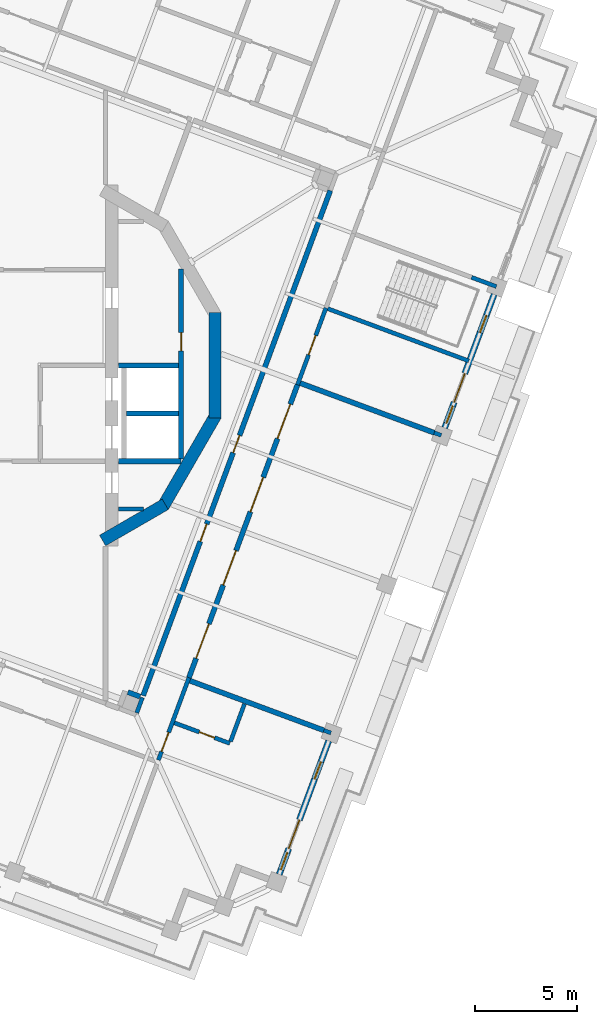
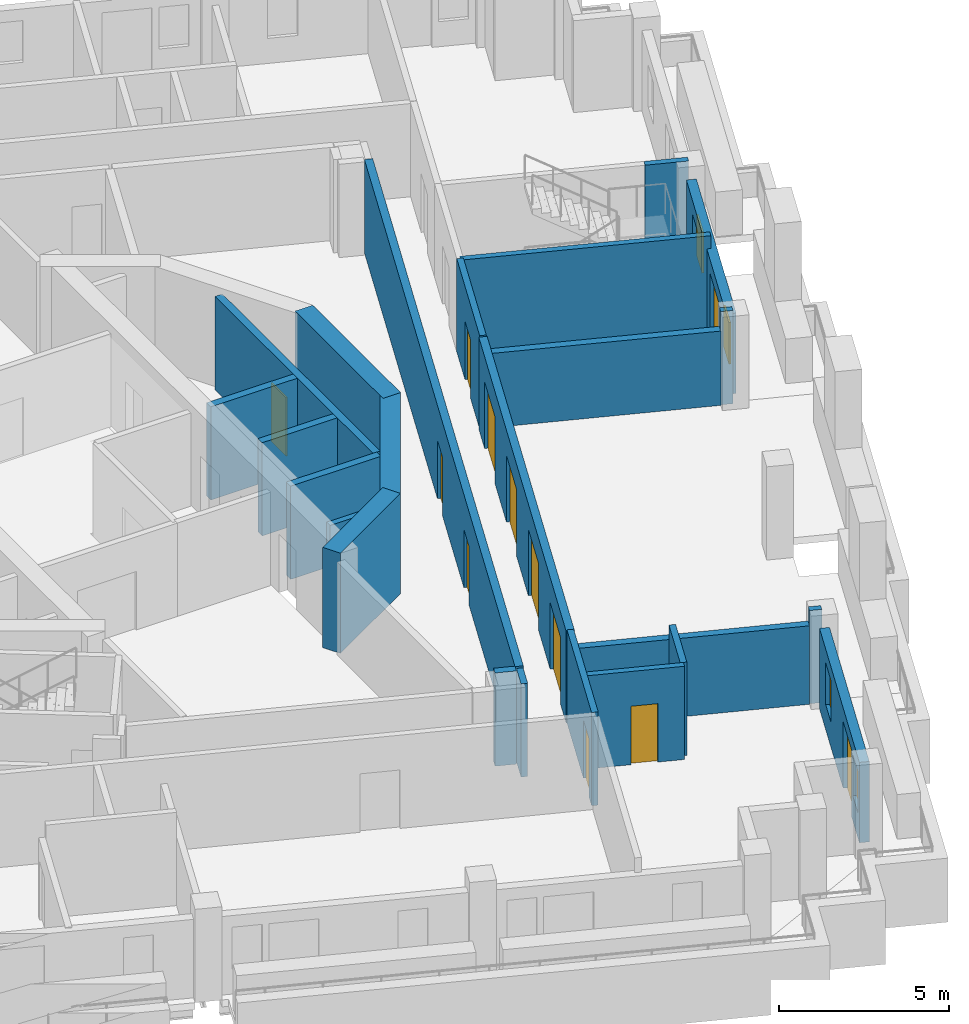
# One storey, part 6 of 18: 24 walls, 12 doors, 4 windows, 16 openings.
"""IFC4 building model written with IfcOpenShell, lengths in metres."""

from ifc_helpers import new_model, si_unit, direction, frame, frame_2d, origin, place, context, subcontext, project, spatial, rectangle, extrude, material, layer, layer_set, type_object, element, fill, save


model = new_model("IFC4")

# Units and contexts
model_context = context("Model", 3, precision=1e-05, world=origin(), true_north=direction((0.0, 1.0)))
body_context = subcontext(model_context, "Body", "Model", "MODEL_VIEW")
ifc_project = project(units=[si_unit("LENGTHUNIT", "METRE"), si_unit("AREAUNIT", "SQUARE_METRE"), si_unit("VOLUMEUNIT", "CUBIC_METRE"), si_unit("PLANEANGLEUNIT", "RADIAN"), si_unit("MASSUNIT", "GRAM", prefix="KILO")], contexts=[model_context])

# Site, building, storey
site_placement = place(None, origin())
site = spatial("IfcSite", under=ifc_project, at=site_placement, CompositionType="ELEMENT")
building_placement = place(site_placement, origin())
building = spatial("IfcBuilding", under=site, at=building_placement, Name="Cantera Rosa Tower", CompositionType="ELEMENT")
storey_placement = place(building_placement, frame((0.0, 0.0, 338.5)))
storey = spatial("IfcBuildingStorey", under=building, at=storey_placement, Name="L76", CompositionType="ELEMENT", Elevation=338.5)

# Wall
ifc_material_1 = material(Name="Gypsum board partition")
ifc_layer_1 = layer(ifc_material_1, 0.199951171875)
ifc_layer_set_1 = layer_set([ifc_layer_1], Name="CORRIDOR WALL 200 H3350")
wall_type_1 = type_object("IfcWallType", Name="CORRIDOR WALL 200 H3350", PredefinedType="PARTITIONING", material=ifc_layer_set_1)
wall_1_placement = place(storey_placement, frame((5.526123046875, -17.031494140625, 0.0), z_axis=(0.0, 0.0, 1.0), x_axis=(0.34764237862, 0.93762720555, 0.0)))
element("IfcWall", 1, at=wall_1_placement, inside=storey, type_object=wall_type_1, Name="CORRIDOR WALL L76-065", PredefinedType="PARTITIONING", context=body_context, shape_type="SweptSolid", body=[
    extrude(rectangle(XDim=0.7998046875, YDim=0.199951171875, at=frame_2d((0.39990234375, 0.0))), origin(), (0.0, 0.0, 1.0), 3.35009765625),
])

# Wall, opening, door
wall_2_placement = place(storey_placement, frame((6.588623046875, -19.3447265625, 0.0), z_axis=(0.0, 0.0, 1.0), x_axis=(0.347478742079, 0.93768786054, 0.0)))
wall_2 = element("IfcWall", 2, at=wall_2_placement, inside=storey, type_object=wall_type_1, Name="CORRIDOR WALL L76-071", PredefinedType="PARTITIONING", context=body_context, shape_type="SweptSolid", body=[
    extrude(rectangle(XDim=4.304931640625, YDim=0.199951171875, at=frame_2d((2.15234375, 0.0))), origin(), (0.0, 0.0, 1.0), 3.35009765625),
])
opening_1_placement = place(wall_2_placement, frame((0.43994140625, 0.0, 0.0)))
opening_1 = element("IfcOpeningElement", 3, at=opening_1_placement, cuts=wall_2, Name="Opening L76-036", PredefinedType="OPENING", context=body_context, shape_type="SweptSolid", body=[
    extrude(rectangle(XDim=1.0, YDim=2.10009765625, at=frame_2d((0.5, 1.050048828125))), frame((0.0, 0.10986328125, 0.0), z_axis=(0.0, -1.0, 0.0), x_axis=(1.0, 0.0, 0.0)), (0.0, 0.0, 1.0), 0.219970703125),
])
ifc_material_2 = material(Name="Timber door leaf", Category="wood")
door_type_1 = type_object("IfcDoorType", Name="ENTRANCE DOOR 1000x2100", OperationType="NOTDEFINED", PredefinedType="DOOR", material=ifc_material_2)
door_1_placement = place(opening_1_placement, origin())
door_1 = element("IfcDoor", 4, at=door_1_placement, inside=storey, type_object=door_type_1, Name="DOOR L76-036", OperationType="NOTDEFINED", OverallHeight=2.10009765625, OverallWidth=1.0, PredefinedType="DOOR", context=body_context, shape_type="SweptSolid", body=[
    extrude(rectangle(XDim=1.0, YDim=2.10009765625, at=frame_2d((0.5, 1.050048828125))), frame((0.0, 0.02490234375, 0.0), z_axis=(0.0, -1.0, 0.0), x_axis=(1.0, 0.0, 0.0)), (0.0, 0.0, 1.0), 0.050048828125),
])
fill(opening_1, door_1)

wall_3_placement = place(storey_placement, frame((13.404296875, -0.9521484375, 0.0), z_axis=(0.0, 0.0, 1.0), x_axis=(0.347502485966, 0.937679061432, 0.0)))
wall_3 = element("IfcWall", 5, at=wall_3_placement, inside=storey, type_object=wall_type_1, Name="CORRIDOR WALL L76-072", PredefinedType="PARTITIONING", context=body_context, shape_type="SweptSolid", body=[
    extrude(rectangle(XDim=4.01513671875, YDim=0.199951171875, at=frame_2d((2.007568359375, 0.0))), origin(), (0.0, 0.0, 1.0), 3.35009765625),
])
opening_2_placement = place(wall_3_placement, frame((1.570068359375, 0.0, 0.0)))
opening_2 = element("IfcOpeningElement", 6, at=opening_2_placement, cuts=wall_3, Name="Opening L76-035", PredefinedType="OPENING", context=body_context, shape_type="SweptSolid", body=[
    extrude(rectangle(XDim=1.0, YDim=2.10009765625, at=frame_2d((0.5, 1.050048828125))), frame((0.0, 0.10986328125, 0.0), z_axis=(0.0, -1.0, 0.0), x_axis=(1.0, 0.0, 0.0)), (0.0, 0.0, 1.0), 0.219970703125),
])
ifc_material_3 = material(Name="Timber door leaf", Category="wood")
door_type_2 = type_object("IfcDoorType", Name="ROOM DOOR 1000x2100", OperationType="NOTDEFINED", PredefinedType="DOOR", material=ifc_material_3)
door_2_placement = place(opening_2_placement, origin())
door_2 = element("IfcDoor", 7, at=door_2_placement, inside=storey, type_object=door_type_2, Name="DOOR L76-035", OperationType="NOTDEFINED", OverallHeight=2.10009765625, OverallWidth=1.0, PredefinedType="DOOR", context=body_context, shape_type="SweptSolid", body=[
    extrude(rectangle(XDim=1.0, YDim=2.10009765625, at=frame_2d((0.5, 1.050048828125))), frame((0.0, 0.02490234375, 0.0), z_axis=(0.0, -1.0, 0.0), x_axis=(1.0, 0.0, 0.0)), (0.0, 0.0, 1.0), 0.050048828125),
])
fill(opening_2, door_2)

# Wall, openings, windows, door
ifc_material_4 = material(Name="Hollow clay masonry with cantera stone cladding", Category="masonry")
ifc_layer_2 = layer(ifc_material_4, 0.300048828125)
ifc_layer_set_2 = layer_set([ifc_layer_2], Name="EW-LOGGIA 300 H2890")
wall_type_2 = type_object("IfcWallType", Name="EW-LOGGIA 300 H2890", PredefinedType="SOLIDWALL", material=ifc_layer_set_2)
wall_4_placement = place(storey_placement, frame((12.50927734375, -24.95166015625, 0.0), z_axis=(0.0, 0.0, 1.0), x_axis=(0.347490919506, 0.937683347864, 0.0)))
wall_4 = element("IfcWall", 8, at=wall_4_placement, inside=storey, type_object=wall_type_2, Name="EN-L76-W20", PredefinedType="SOLIDWALL", context=body_context, shape_type="SweptSolid", body=[
    extrude(rectangle(XDim=6.980224609375, YDim=0.300048828125, at=frame_2d((3.490234375, 0.0))), origin(), (0.0, 0.0, 1.0), 2.889892578125),
])
opening_3_placement = place(wall_4_placement, frame((0.2451171875, 0.0, 0.89990234375)))
opening_3 = element("IfcOpeningElement", 9, at=opening_3_placement, cuts=wall_4, Name="Opening L76-W40", PredefinedType="OPENING", context=body_context, shape_type="SweptSolid", body=[
    extrude(rectangle(XDim=0.89990234375, YDim=1.5, at=frame_2d((0.449951171875, 0.75))), frame((0.0, 0.159912109375, 0.0), z_axis=(0.0, -1.0, 0.0), x_axis=(1.0, 0.0, 0.0)), (0.0, 0.0, 1.0), 0.320068359375),
])
opening_4_placement = place(wall_4_placement, frame((1.344970703125, 0.0, 0.0)))
opening_4 = element("IfcOpeningElement", 10, at=opening_4_placement, cuts=wall_4, Name="Opening L76-TD41", PredefinedType="OPENING", context=body_context, shape_type="SweptSolid", body=[
    extrude(rectangle(XDim=1.5, YDim=2.39990234375, at=frame_2d((0.75, 1.199951171875))), frame((0.0, 0.159912109375, 0.0), z_axis=(0.0, -1.0, 0.0), x_axis=(1.0, 0.0, 0.0)), (0.0, 0.0, 1.0), 0.320068359375),
])
opening_5_placement = place(wall_4_placement, frame((4.985107421875, 0.0, 0.89990234375)))
opening_5 = element("IfcOpeningElement", 11, at=opening_5_placement, cuts=wall_4, Name="Opening L76-W42", PredefinedType="OPENING", context=body_context, shape_type="SweptSolid", body=[
    extrude(rectangle(XDim=0.89990234375, YDim=1.5, at=frame_2d((0.449951171875, 0.75))), frame((0.0, 0.159912109375, 0.0), z_axis=(0.0, -1.0, 0.0), x_axis=(1.0, 0.0, 0.0)), (0.0, 0.0, 1.0), 0.320068359375),
])
ifc_material_5 = material(Name="Aluminium frame with clear glass", Category="aluminium")
window_type = type_object("IfcWindowType", Name="Residential window 900x1500", PartitioningType="SINGLE_PANEL", PredefinedType="WINDOW", material=ifc_material_5)
window_1_placement = place(opening_3_placement, origin())
window_1 = element("IfcWindow", 12, at=window_1_placement, inside=storey, type_object=window_type, Name="WINDOW L76-W40", OverallHeight=1.5, OverallWidth=0.89990234375, PartitioningType="SINGLE_PANEL", PredefinedType="WINDOW", context=body_context, shape_type="SweptSolid", body=[
    extrude(rectangle(XDim=0.89990234375, YDim=1.5, at=frame_2d((0.449951171875, 0.75))), frame((0.0, 0.030029296875, 0.0), z_axis=(0.0, -1.0, 0.0), x_axis=(1.0, 0.0, 0.0)), (0.0, 0.0, 1.0), 0.06005859375),
])
fill(opening_3, window_1)
window_2_placement = place(opening_5_placement, origin())
window_2 = element("IfcWindow", 13, at=window_2_placement, inside=storey, type_object=window_type, Name="WINDOW L76-W42", OverallHeight=1.5, OverallWidth=0.89990234375, PartitioningType="SINGLE_PANEL", PredefinedType="WINDOW", context=body_context, shape_type="SweptSolid", body=[
    extrude(rectangle(XDim=0.89990234375, YDim=1.5, at=frame_2d((0.449951171875, 0.75))), frame((0.0, 0.030029296875, 0.0), z_axis=(0.0, -1.0, 0.0), x_axis=(1.0, 0.0, 0.0)), (0.0, 0.0, 1.0), 0.06005859375),
])
fill(opening_5, window_2)
ifc_material_6 = material(Name="Aluminium frame with clear glass", Category="aluminium")
door_type_3 = type_object("IfcDoorType", Name="TD-R 1500x2400", OperationType="NOTDEFINED", PredefinedType="DOOR", material=ifc_material_6)
door_3_placement = place(opening_4_placement, origin())
door_3 = element("IfcDoor", 14, at=door_3_placement, inside=storey, type_object=door_type_3, Name="LOGGIA DOOR L76-TD41", OperationType="SLIDING_TO_LEFT", OverallHeight=2.39990234375, OverallWidth=1.5, PredefinedType="DOOR", context=body_context, shape_type="SweptSolid", body=[
    extrude(rectangle(XDim=1.5, YDim=2.39990234375, at=frame_2d((0.75, 1.199951171875))), frame((0.0, 0.02490234375, 0.0), z_axis=(0.0, -1.0, 0.0), x_axis=(1.0, 0.0, 0.0)), (0.0, 0.0, 1.0), 0.050048828125),
])
fill(opening_4, door_3)

wall_5_placement = place(storey_placement, frame((20.61962890625, -3.06591796875, 0.0), z_axis=(0.0, 0.0, 1.0), x_axis=(0.347471562124, 0.937690521182, 0.0)))
wall_5 = element("IfcWall", 15, at=wall_5_placement, inside=storey, type_object=wall_type_2, Name="EN-L76-W23", PredefinedType="SOLIDWALL", context=body_context, shape_type="SweptSolid", body=[
    extrude(rectangle(XDim=6.979736328125, YDim=0.300048828125, at=frame_2d((3.48974609375, 0.0))), origin(), (0.0, 0.0, 1.0), 2.889892578125),
])
opening_6_placement = place(wall_5_placement, frame((0.2451171875, 0.0, 0.89990234375)))
opening_6 = element("IfcOpeningElement", 16, at=opening_6_placement, cuts=wall_5, Name="Opening L76-W43", PredefinedType="OPENING", context=body_context, shape_type="SweptSolid", body=[
    extrude(rectangle(XDim=0.89990234375, YDim=1.5, at=frame_2d((0.449951171875, 0.75))), frame((0.0, 0.159912109375, 0.0), z_axis=(0.0, -1.0, 0.0), x_axis=(1.0, 0.0, 0.0)), (0.0, 0.0, 1.0), 0.320068359375),
])
opening_7_placement = place(wall_5_placement, frame((1.344970703125, 0.0, 0.0)))
opening_7 = element("IfcOpeningElement", 17, at=opening_7_placement, cuts=wall_5, Name="Opening L76-TD44", PredefinedType="OPENING", context=body_context, shape_type="SweptSolid", body=[
    extrude(rectangle(XDim=1.5, YDim=2.39990234375, at=frame_2d((0.75, 1.199951171875))), frame((0.0, 0.159912109375, 0.0), z_axis=(0.0, -1.0, 0.0), x_axis=(1.0, 0.0, 0.0)), (0.0, 0.0, 1.0), 0.320068359375),
])
opening_8_placement = place(wall_5_placement, frame((4.985107421875, 0.0, 0.89990234375)))
opening_8 = element("IfcOpeningElement", 18, at=opening_8_placement, cuts=wall_5, Name="Opening L76-W45", PredefinedType="OPENING", context=body_context, shape_type="SweptSolid", body=[
    extrude(rectangle(XDim=0.89990234375, YDim=1.5, at=frame_2d((0.449951171875, 0.75))), frame((0.0, 0.159912109375, 0.0), z_axis=(0.0, -1.0, 0.0), x_axis=(1.0, 0.0, 0.0)), (0.0, 0.0, 1.0), 0.320068359375),
])
window_3_placement = place(opening_6_placement, origin())
window_3 = element("IfcWindow", 19, at=window_3_placement, inside=storey, type_object=window_type, Name="WINDOW L76-W43", OverallHeight=1.5, OverallWidth=0.89990234375, PartitioningType="SINGLE_PANEL", PredefinedType="WINDOW", context=body_context, shape_type="SweptSolid", body=[
    extrude(rectangle(XDim=0.89990234375, YDim=1.5, at=frame_2d((0.449951171875, 0.75))), frame((0.0, 0.030029296875, 0.0), z_axis=(0.0, -1.0, 0.0), x_axis=(1.0, 0.0, 0.0)), (0.0, 0.0, 1.0), 0.06005859375),
])
fill(opening_6, window_3)
window_4_placement = place(opening_8_placement, origin())
window_4 = element("IfcWindow", 20, at=window_4_placement, inside=storey, type_object=window_type, Name="WINDOW L76-W45", OverallHeight=1.5, OverallWidth=0.89990234375, PartitioningType="SINGLE_PANEL", PredefinedType="WINDOW", context=body_context, shape_type="SweptSolid", body=[
    extrude(rectangle(XDim=0.89990234375, YDim=1.5, at=frame_2d((0.449951171875, 0.75))), frame((0.0, 0.030029296875, 0.0), z_axis=(0.0, -1.0, 0.0), x_axis=(1.0, 0.0, 0.0)), (0.0, 0.0, 1.0), 0.06005859375),
])
fill(opening_8, window_4)
door_4_placement = place(opening_7_placement, origin())
door_4 = element("IfcDoor", 21, at=door_4_placement, inside=storey, type_object=door_type_3, Name="LOGGIA DOOR L76-TD44", OperationType="SLIDING_TO_LEFT", OverallHeight=2.39990234375, OverallWidth=1.5, PredefinedType="DOOR", context=body_context, shape_type="SweptSolid", body=[
    extrude(rectangle(XDim=1.5, YDim=2.39990234375, at=frame_2d((0.75, 1.199951171875))), frame((0.0, 0.02490234375, 0.0), z_axis=(0.0, -1.0, 0.0), x_axis=(1.0, 0.0, 0.0)), (0.0, 0.0, 1.0), 0.050048828125),
])
fill(opening_7, door_4)

# Walls
ifc_material_7 = material(Name="Concrete C40/50", Category="concrete")
ifc_layer_3 = layer(ifc_material_7, 0.25)
ifc_layer_set_3 = layer_set([ifc_layer_3], Name="EW-POCKET CHEEK 250 H2670")
wall_type_3 = type_object("IfcWallType", Name="EW-POCKET CHEEK 250 H2670", PredefinedType="SOLIDWALL", material=ifc_layer_set_3)
wall_6_placement = place(storey_placement, frame((20.10546875, -3.302001953125, 0.0), z_axis=(0.0, 0.0, 1.0), x_axis=(-0.937685216413, 0.347485877297, 0.0)))
element("IfcWall", 22, at=wall_6_placement, inside=storey, type_object=wall_type_3, Name="POCKET CHEEK B L76", PredefinedType="SOLIDWALL", context=body_context, shape_type="SweptSolid", body=[
    extrude(rectangle(XDim=7.0, YDim=0.25, at=frame_2d((3.5, 0.0))), origin(), (0.0, 0.0, 1.0), 2.669921875),
])
ifc_material_8 = material(Name="Concrete C40/50", Category="concrete")
ifc_layer_4 = layer(ifc_material_8, 0.25)
ifc_layer_set_4 = layer_set([ifc_layer_4], Name="EW-POCKET CHEEK 250 H2820")
wall_type_4 = type_object("IfcWallType", Name="EW-POCKET CHEEK 250 H2820", PredefinedType="SOLIDWALL", material=ifc_layer_set_4)
wall_7_placement = place(storey_placement, frame((14.69873046875, -17.892333984375, 0.0), z_axis=(0.0, 0.0, 1.0), x_axis=(-0.937689427556, 0.34747451338, 0.0)))
element("IfcWall", 23, at=wall_7_placement, inside=storey, type_object=wall_type_4, Name="POCKET CHEEK A L76", PredefinedType="SOLIDWALL", context=body_context, shape_type="SweptSolid", body=[
    extrude(rectangle(XDim=7.000244140625, YDim=0.25, at=frame_2d((3.5, 0.0))), origin(), (0.0, 0.0, 1.0), 2.820068359375),
])

# Wall, openings, doors
ifc_material_9 = material(Name="Hollow clay masonry with cantera stone cladding", Category="masonry")
ifc_layer_5 = layer(ifc_material_9, 0.25)
ifc_layer_set_5 = layer_set([ifc_layer_5], Name="EW-POCKET REAR 250")
wall_type_5 = type_object("IfcWallType", Name="EW-POCKET REAR 250", PredefinedType="SOLIDWALL", material=ifc_layer_set_5)
wall_8_placement = place(storey_placement, frame((8.08447265625, -15.30810546875, 0.0), z_axis=(0.0, 0.0, 1.0), x_axis=(0.347489376152, 0.937683919805, 0.0)))
wall_8 = element("IfcWall", 24, at=wall_8_placement, inside=storey, type_object=wall_type_5, Name="POCKET REAR L76", PredefinedType="SOLIDWALL", context=body_context, shape_type="SweptSolid", body=[
    extrude(rectangle(XDim=15.31005859375, YDim=0.25, at=frame_2d((7.655029296875, 0.0))), origin(), (0.0, 0.0, 1.0), 3.300048828125),
])
opening_9_placement = place(wall_8_placement, frame((1.013671875, 0.0, 0.0)))
opening_9 = element("IfcOpeningElement", 25, at=opening_9_placement, cuts=wall_8, Name="Opening L76-LT01", PredefinedType="OPENING", context=body_context, shape_type="SweptSolid", body=[
    extrude(rectangle(XDim=1.800048828125, YDim=2.39990234375, at=frame_2d((0.89990234375, 1.199951171875))), frame((0.0, 0.135009765625, 0.0), z_axis=(0.0, -1.0, 0.0), x_axis=(1.0, 0.0, 0.0)), (0.0, 0.0, 1.0), 0.27001953125),
])
opening_10_placement = place(wall_8_placement, frame((4.84130859375, 0.0, 0.0)))
opening_10 = element("IfcOpeningElement", 26, at=opening_10_placement, cuts=wall_8, Name="Opening L76-LT02", PredefinedType="OPENING", context=body_context, shape_type="SweptSolid", body=[
    extrude(rectangle(XDim=1.800048828125, YDim=2.39990234375, at=frame_2d((0.89990234375, 1.199951171875))), frame((0.0, 0.135009765625, 0.0), z_axis=(0.0, -1.0, 0.0), x_axis=(1.0, 0.0, 0.0)), (0.0, 0.0, 1.0), 0.27001953125),
])
opening_11_placement = place(wall_8_placement, frame((8.668701171875, 0.0, 0.0)))
opening_11 = element("IfcOpeningElement", 27, at=opening_11_placement, cuts=wall_8, Name="Opening L76-LT03", PredefinedType="OPENING", context=body_context, shape_type="SweptSolid", body=[
    extrude(rectangle(XDim=1.800048828125, YDim=2.39990234375, at=frame_2d((0.89990234375, 1.199951171875))), frame((0.0, 0.135009765625, 0.0), z_axis=(0.0, -1.0, 0.0), x_axis=(1.0, 0.0, 0.0)), (0.0, 0.0, 1.0), 0.27001953125),
])
opening_12_placement = place(wall_8_placement, frame((12.496337890625, 0.0, 0.0)))
opening_12 = element("IfcOpeningElement", 28, at=opening_12_placement, cuts=wall_8, Name="Opening L76-LT04", PredefinedType="OPENING", context=body_context, shape_type="SweptSolid", body=[
    extrude(rectangle(XDim=1.800048828125, YDim=2.39990234375, at=frame_2d((0.89990234375, 1.199951171875))), frame((0.0, 0.135009765625, 0.0), z_axis=(0.0, -1.0, 0.0), x_axis=(1.0, 0.0, 0.0)), (0.0, 0.0, 1.0), 0.27001953125),
])
ifc_material_10 = material(Name="Aluminium frame with clear glass", Category="aluminium")
door_type_4 = type_object("IfcDoorType", Name="TD-T 1800x2400", OperationType="NOTDEFINED", PredefinedType="DOOR", material=ifc_material_10)
door_5_placement = place(opening_9_placement, origin())
door_5 = element("IfcDoor", 29, at=door_5_placement, inside=storey, type_object=door_type_4, Name="TERRACE DOOR L76-LT01", OperationType="DOUBLE_DOOR_SINGLE_SWING", OverallHeight=2.39990234375, OverallWidth=1.800048828125, PredefinedType="DOOR", context=body_context, shape_type="SweptSolid", body=[
    extrude(rectangle(XDim=1.800048828125, YDim=2.39990234375, at=frame_2d((0.89990234375, 1.199951171875))), frame((0.0, 0.02490234375, 0.0), z_axis=(0.0, -1.0, 0.0), x_axis=(1.0, 0.0, 0.0)), (0.0, 0.0, 1.0), 0.050048828125),
])
fill(opening_9, door_5)
door_6_placement = place(opening_10_placement, origin())
door_6 = element("IfcDoor", 30, at=door_6_placement, inside=storey, type_object=door_type_4, Name="TERRACE DOOR L76-LT02", OperationType="DOUBLE_DOOR_SINGLE_SWING", OverallHeight=2.39990234375, OverallWidth=1.800048828125, PredefinedType="DOOR", context=body_context, shape_type="SweptSolid", body=[
    extrude(rectangle(XDim=1.800048828125, YDim=2.39990234375, at=frame_2d((0.89990234375, 1.199951171875))), frame((0.0, 0.02490234375, 0.0), z_axis=(0.0, -1.0, 0.0), x_axis=(1.0, 0.0, 0.0)), (0.0, 0.0, 1.0), 0.050048828125),
])
fill(opening_10, door_6)
door_7_placement = place(opening_11_placement, origin())
door_7 = element("IfcDoor", 31, at=door_7_placement, inside=storey, type_object=door_type_4, Name="TERRACE DOOR L76-LT03", OperationType="DOUBLE_DOOR_SINGLE_SWING", OverallHeight=2.39990234375, OverallWidth=1.800048828125, PredefinedType="DOOR", context=body_context, shape_type="SweptSolid", body=[
    extrude(rectangle(XDim=1.800048828125, YDim=2.39990234375, at=frame_2d((0.89990234375, 1.199951171875))), frame((0.0, 0.02490234375, 0.0), z_axis=(0.0, -1.0, 0.0), x_axis=(1.0, 0.0, 0.0)), (0.0, 0.0, 1.0), 0.050048828125),
])
fill(opening_11, door_7)
door_8_placement = place(opening_12_placement, origin())
door_8 = element("IfcDoor", 32, at=door_8_placement, inside=storey, type_object=door_type_4, Name="TERRACE DOOR L76-LT04", OperationType="DOUBLE_DOOR_SINGLE_SWING", OverallHeight=2.39990234375, OverallWidth=1.800048828125, PredefinedType="DOOR", context=body_context, shape_type="SweptSolid", body=[
    extrude(rectangle(XDim=1.800048828125, YDim=2.39990234375, at=frame_2d((0.89990234375, 1.199951171875))), frame((0.0, 0.02490234375, 0.0), z_axis=(0.0, -1.0, 0.0), x_axis=(1.0, 0.0, 0.0)), (0.0, 0.0, 1.0), 0.050048828125),
])
fill(opening_12, door_8)

# Wall
ifc_material_11 = material(Name="Gypsum board partition")
ifc_layer_6 = layer(ifc_material_11, 0.199951171875)
ifc_layer_set_6 = layer_set([ifc_layer_6], Name="PARTITION 200 H3350")
wall_type_6 = type_object("IfcWallType", Name="PARTITION 200 H3350", PredefinedType="PARTITIONING", material=ifc_layer_set_6)
wall_9_placement = place(storey_placement, frame((5.84765625, -7.050048828125, 0.0), z_axis=(0.0, 0.0, 1.0), x_axis=(-1.0, 0.0, 0.0)))
element("IfcWall", 33, at=wall_9_placement, inside=storey, type_object=wall_type_6, Name="PARTITION L76-068", PredefinedType="PARTITIONING", context=body_context, shape_type="SweptSolid", body=[
    extrude(rectangle(XDim=1.2177734375, YDim=0.199951171875, at=frame_2d((0.60888671875, 0.0))), origin(), (0.0, 0.0, 1.0), 3.35009765625),
])

# Wall, opening, door
wall_10_placement = place(storey_placement, frame((10.089599609375, -18.53076171875, 0.0), z_axis=(0.0, 0.0, 1.0), x_axis=(-0.937671557958, 0.347522732201, 0.0)))
wall_10 = element("IfcWall", 34, at=wall_10_placement, inside=storey, type_object=wall_type_6, Name="PARTITION L76-079", PredefinedType="PARTITIONING", context=body_context, shape_type="SweptSolid", body=[
    extrude(rectangle(XDim=2.89990234375, YDim=0.199951171875, at=frame_2d((1.449951171875, 0.0))), origin(), (0.0, 0.0, 1.0), 3.35009765625),
])
opening_13_placement = place(wall_10_placement, frame((0.800048828125, 0.0, 0.0)))
opening_13 = element("IfcOpeningElement", 35, at=opening_13_placement, cuts=wall_10, Name="Opening L76-037", PredefinedType="OPENING", context=body_context, shape_type="SweptSolid", body=[
    extrude(rectangle(XDim=0.800048828125, YDim=2.10009765625, at=frame_2d((0.39990234375, 1.050048828125))), frame((0.0, 0.10986328125, 0.0), z_axis=(0.0, -1.0, 0.0), x_axis=(1.0, 0.0, 0.0)), (0.0, 0.0, 1.0), 0.219970703125),
])
ifc_material_12 = material(Name="Timber door leaf", Category="wood")
door_type_5 = type_object("IfcDoorType", Name="BATHROOM DOOR 800x2100", OperationType="NOTDEFINED", PredefinedType="DOOR", material=ifc_material_12)
door_9_placement = place(opening_13_placement, origin())
door_9 = element("IfcDoor", 36, at=door_9_placement, inside=storey, type_object=door_type_5, Name="DOOR L76-037", OperationType="NOTDEFINED", OverallHeight=2.10009765625, OverallWidth=0.800048828125, PredefinedType="DOOR", context=body_context, shape_type="SweptSolid", body=[
    extrude(rectangle(XDim=0.800048828125, YDim=2.10009765625, at=frame_2d((0.39990234375, 1.050048828125))), frame((0.0, 0.02490234375, 0.0), z_axis=(0.0, -1.0, 0.0), x_axis=(1.0, 0.0, 0.0)), (0.0, 0.0, 1.0), 0.050048828125),
])
fill(opening_13, door_9)

# Walls
wall_11_placement = place(storey_placement, frame((10.80712890625, -16.59423828125, 0.0), z_axis=(0.0, 0.0, 1.0), x_axis=(-0.347362910671, -0.937730776017, 0.0)))
element("IfcWall", 37, at=wall_11_placement, inside=storey, type_object=wall_type_6, Name="PARTITION L76-081", PredefinedType="PARTITIONING", context=body_context, shape_type="SweptSolid", body=[
    extrude(rectangle(XDim=1.965087890625, YDim=0.199951171875, at=frame_2d((0.982421875, 0.0))), origin(), (0.0, 0.0, 1.0), 3.35009765625),
])
wall_12_placement = place(storey_placement, frame((20.452392578125, -3.4306640625, 0.0), z_axis=(0.0, 0.0, 1.0), x_axis=(-0.937597447594, 0.347722628348, 0.0)))
element("IfcWall", 38, at=wall_12_placement, inside=storey, type_object=wall_type_6, Name="PARTITION L76-095", PredefinedType="PARTITIONING", context=body_context, shape_type="SweptSolid", body=[
    extrude(rectangle(XDim=0.3701171875, YDim=0.199951171875, at=frame_2d((0.18505859375, 0.0))), origin(), (0.0, 0.0, 1.0), 3.35009765625),
])
ifc_material_13 = material(Name="Gypsum board partition")
ifc_layer_7 = layer(ifc_material_13, 0.199951171875)
ifc_layer_set_7 = layer_set([ifc_layer_7], Name="PARTY WALL 200 H3350")
wall_type_7 = type_object("IfcWallType", Name="PARTY WALL 200 H3350", PredefinedType="PARTITIONING", material=ifc_layer_set_7)
wall_13_placement = place(storey_placement, frame((14.698486328125, -17.892333984375, 0.0), z_axis=(0.0, 0.0, 1.0), x_axis=(0.937677152558, -0.347507636708, 0.0)))
element("IfcWall", 39, at=wall_13_placement, inside=storey, type_object=wall_type_7, Name="PARTY WALL L76-076", PredefinedType="PARTITIONING", context=body_context, shape_type="SweptSolid", body=[
    extrude(rectangle(XDim=0.370361328125, YDim=0.199951171875, at=frame_2d((0.18505859375, 0.0))), origin(), (0.0, 0.0, 1.0), 3.35009765625),
])
ifc_material_14 = material(Name="Concrete C50/60", Category="concrete")
ifc_layer_8 = layer(ifc_material_14, 0.60009765625)
ifc_layer_set_8 = layer_set([ifc_layer_8], Name="RC CORE WALL 600 C50/60")
wall_type_8 = type_object("IfcWallType", Name="RC CORE WALL 600 C50/60", PredefinedType="SHEAR", material=ifc_layer_set_8)
for number, where, z_axis, x_axis, name in (
    (40, (9.359375, 2.588134765625, 0.0), (0.0, 0.0, 1.0), (0.0, -1.0, 0.0), "CW-E3 L76"),
    (41, (9.3994140625, -2.438232421875, 0.0), (0.0, 0.0, 1.0), (-0.499989188378, -0.866031645787, 0.0), "CW-E4 L76"),
):
    element("IfcWall", number, at=place(storey_placement, frame(where, z_axis=z_axis, x_axis=x_axis)), inside=storey, type_object=wall_type_8, Name=name, PredefinedType="SHEAR", context=body_context, shape_type="SweptSolid", body=[
        extrude(rectangle(XDim=5.17626953125, YDim=0.60009765625, at=frame_2d((2.588134765625, 0.0))), origin(), (0.0, 0.0, 1.0), 3.60009765625),
    ])
wall_14_placement = place(storey_placement, frame((6.921142578125, -6.811279296875, 0.0), z_axis=(0.0, 0.0, 1.0), x_axis=(-0.866039982607, -0.499974747889, 0.0)))
element("IfcWall", 42, at=wall_14_placement, inside=storey, type_object=wall_type_8, Name="CW-E5 L76", PredefinedType="SHEAR", context=body_context, shape_type="SweptSolid", body=[
    extrude(rectangle(XDim=3.546142578125, YDim=0.60009765625, at=frame_2d((1.77294921875, 0.0))), origin(), (0.0, 0.0, 1.0), 3.60009765625),
])
ifc_material_15 = material(Name="Masonry blockwork", Category="masonry")
ifc_layer_9 = layer(ifc_material_15, 0.25)
ifc_layer_set_9 = layer_set([ifc_layer_9], Name="SHAFT WALL 250 H3350")
wall_type_9 = type_object("IfcWallType", Name="SHAFT WALL 250 H3350", PredefinedType="SOLIDWALL", material=ifc_layer_set_9)
wall_15_placement = place(storey_placement, frame((4.6298828125, 0.0, 0.0), z_axis=(0.0, 0.0, 1.0), x_axis=(1.0, 0.0, 0.0)))
element("IfcWall", 43, at=wall_15_placement, inside=storey, type_object=wall_type_9, Name="SHAFT WALL L76-060", PredefinedType="SOLIDWALL", context=body_context, shape_type="SweptSolid", body=[
    extrude(rectangle(XDim=2.945068359375, YDim=0.25, at=frame_2d((1.47265625, 0.0))), origin(), (0.0, 0.0, 1.0), 3.35009765625),
])
wall_16_placement = place(storey_placement, frame((5.691650390625, -16.23974609375, 0.0), z_axis=(0.0, 0.0, 1.0), x_axis=(-0.937670508839, 0.347525562877, 0.0)))
element("IfcWall", 44, at=wall_16_placement, inside=storey, type_object=wall_type_9, Name="SHAFT WALL L76-066", PredefinedType="SOLIDWALL", context=body_context, shape_type="SweptSolid", body=[
    extrude(rectangle(XDim=0.639892578125, YDim=0.25, at=frame_2d((0.31982421875, 0.0))), origin(), (0.0, 0.0, 1.0), 3.35009765625),
])

# Wall, openings, doors
wall_17_placement = place(storey_placement, frame((5.8388671875, -16.1875, 0.0), z_axis=(0.0, 0.0, 1.0), x_axis=(0.347484524478, 0.937685717737, 0.0)))
wall_17 = element("IfcWall", 45, at=wall_17_placement, inside=storey, type_object=wall_type_9, Name="SHAFT WALL L76-067", PredefinedType="SOLIDWALL", context=body_context, shape_type="SweptSolid", body=[
    extrude(rectangle(XDim=26.39990234375, YDim=0.25, at=frame_2d((13.199951171875, 0.0))), origin(), (0.0, 0.0, 1.0), 3.35009765625),
])
opening_14_placement = place(wall_17_placement, frame((8.0625, 0.0, 0.0)))
opening_14 = element("IfcOpeningElement", 46, at=opening_14_placement, cuts=wall_17, Name="Opening L76-007", PredefinedType="OPENING", context=body_context, shape_type="SweptSolid", body=[
    extrude(rectangle(XDim=0.89990234375, YDim=2.10009765625, at=frame_2d((0.449951171875, 1.050048828125))), frame((0.0, 0.135009765625, 0.0), z_axis=(0.0, -1.0, 0.0), x_axis=(1.0, 0.0, 0.0)), (0.0, 0.0, 1.0), 0.27001953125),
])
opening_15_placement = place(wall_17_placement, frame((12.699951171875, 0.0, 0.0)))
opening_15 = element("IfcOpeningElement", 47, at=opening_15_placement, cuts=wall_17, Name="Opening L76-040", PredefinedType="OPENING", context=body_context, shape_type="SweptSolid", body=[
    extrude(rectangle(XDim=0.89990234375, YDim=2.10009765625, at=frame_2d((0.449951171875, 1.050048828125))), frame((0.0, 0.135009765625, 0.0), z_axis=(0.0, -1.0, 0.0), x_axis=(1.0, 0.0, 0.0)), (0.0, 0.0, 1.0), 0.27001953125),
])
ifc_material_16 = material(Name="Timber door leaf", Category="wood")
door_type_6 = type_object("IfcDoorType", Name="SERVICE DOOR 900x2100", OperationType="NOTDEFINED", PredefinedType="DOOR", material=ifc_material_16)
door_10_placement = place(opening_14_placement, origin())
door_10 = element("IfcDoor", 48, at=door_10_placement, inside=storey, type_object=door_type_6, Name="RISER DOOR L76-007", OperationType="NOTDEFINED", OverallHeight=2.10009765625, OverallWidth=0.89990234375, PredefinedType="DOOR", context=body_context, shape_type="SweptSolid", body=[
    extrude(rectangle(XDim=0.89990234375, YDim=2.10009765625, at=frame_2d((0.449951171875, 1.050048828125))), frame((0.0, 0.02490234375, 0.0), z_axis=(0.0, -1.0, 0.0), x_axis=(1.0, 0.0, 0.0)), (0.0, 0.0, 1.0), 0.050048828125),
])
fill(opening_14, door_10)
door_11_placement = place(opening_15_placement, origin())
door_11 = element("IfcDoor", 49, at=door_11_placement, inside=storey, type_object=door_type_6, Name="RISER DOOR L76-040", OperationType="NOTDEFINED", OverallHeight=2.10009765625, OverallWidth=0.89990234375, PredefinedType="DOOR", context=body_context, shape_type="SweptSolid", body=[
    extrude(rectangle(XDim=0.89990234375, YDim=2.10009765625, at=frame_2d((0.449951171875, 1.050048828125))), frame((0.0, 0.02490234375, 0.0), z_axis=(0.0, -1.0, 0.0), x_axis=(1.0, 0.0, 0.0)), (0.0, 0.0, 1.0), 0.050048828125),
])
fill(opening_15, door_11)

# Wall
wall_18_placement = place(storey_placement, frame((7.699951171875, -4.699951171875, 0.0), z_axis=(0.0, 0.0, 1.0), x_axis=(-1.0, 0.0, 0.0)))
element("IfcWall", 50, at=wall_18_placement, inside=storey, type_object=wall_type_9, Name="SHAFT WALL L76-073", PredefinedType="SOLIDWALL", context=body_context, shape_type="SweptSolid", body=[
    extrude(rectangle(XDim=3.070068359375, YDim=0.25, at=frame_2d((1.53515625, 0.0))), origin(), (0.0, 0.0, 1.0), 3.35009765625),
])

# Wall, opening, door
wall_19_placement = place(storey_placement, frame((7.699951171875, -4.580078125, 0.0), z_axis=(0.0, 0.0, 1.0), x_axis=(0.0, 1.0, 0.0)))
wall_19 = element("IfcWall", 51, at=wall_19_placement, inside=storey, type_object=wall_type_9, Name="SHAFT WALL L76-074", PredefinedType="SOLIDWALL", context=body_context, shape_type="SweptSolid", body=[
    extrude(rectangle(XDim=9.3017578125, YDim=0.25, at=frame_2d((4.65087890625, 0.0))), origin(), (0.0, 0.0, 1.0), 3.35009765625),
])
opening_16_placement = place(wall_19_placement, frame((5.2900390625, 0.0, 0.0)))
opening_16 = element("IfcOpeningElement", 52, at=opening_16_placement, cuts=wall_19, Name="Opening L76-041", PredefinedType="OPENING", context=body_context, shape_type="SweptSolid", body=[
    extrude(rectangle(XDim=0.89990234375, YDim=2.10009765625, at=frame_2d((0.449951171875, 1.050048828125))), frame((0.0, 0.135009765625, 0.0), z_axis=(0.0, -1.0, 0.0), x_axis=(1.0, 0.0, 0.0)), (0.0, 0.0, 1.0), 0.27001953125),
])
door_12_placement = place(opening_16_placement, origin())
door_12 = element("IfcDoor", 53, at=door_12_placement, inside=storey, type_object=door_type_6, Name="RISER DOOR L76-041", OperationType="NOTDEFINED", OverallHeight=2.10009765625, OverallWidth=0.89990234375, PredefinedType="DOOR", context=body_context, shape_type="SweptSolid", body=[
    extrude(rectangle(XDim=0.89990234375, YDim=2.10009765625, at=frame_2d((0.449951171875, 1.050048828125))), frame((0.0, 0.02490234375, 0.0), z_axis=(0.0, -1.0, 0.0), x_axis=(1.0, 0.0, 0.0)), (0.0, 0.0, 1.0), 0.050048828125),
])
fill(opening_16, door_12)

# Walls
wall_20_placement = place(storey_placement, frame((7.574951171875, -2.35009765625, 0.0), z_axis=(0.0, 0.0, 1.0), x_axis=(-1.0, 0.0, 0.0)))
element("IfcWall", 54, at=wall_20_placement, inside=storey, type_object=wall_type_9, Name="SHAFT WALL L76-075", PredefinedType="SOLIDWALL", context=body_context, shape_type="SweptSolid", body=[
    extrude(rectangle(XDim=2.554931640625, YDim=0.25, at=frame_2d((1.27734375, 0.0))), origin(), (0.0, 0.0, 1.0), 3.35009765625),
])
ifc_material_17 = material(Name="Concrete C50/60", Category="concrete")
ifc_layer_10 = layer(ifc_material_17, 0.199951171875)
ifc_layer_set_10 = layer_set([ifc_layer_10], Name="STAIR WALL 200 H3350")
wall_type_10 = type_object("IfcWallType", Name="STAIR WALL 200 H3350", PredefinedType="SOLIDWALL", material=ifc_layer_set_10)
wall_21_placement = place(storey_placement, frame((14.799560546875, 2.812744140625, 0.0), z_axis=(0.0, 0.0, 1.0), x_axis=(0.93768803379, -0.347478274555, 0.0)))
element("IfcWall", 55, at=wall_21_placement, inside=storey, type_object=wall_type_10, Name="STAIR WALL L76-088", PredefinedType="SOLIDWALL", context=body_context, shape_type="SweptSolid", body=[
    extrude(rectangle(XDim=7.47021484375, YDim=0.199951171875, at=frame_2d((3.735107421875, 0.0))), origin(), (0.0, 0.0, 1.0), 3.35009765625),
])
wall_22_placement = place(storey_placement, frame((23.15576171875, 3.864501953125, 0.0), z_axis=(0.0, 0.0, 1.0), x_axis=(-0.937642248704, 0.347601802994, 0.0)))
element("IfcWall", 56, at=wall_22_placement, inside=storey, type_object=wall_type_10, Name="STAIR WALL L76-096", PredefinedType="SOLIDWALL", context=body_context, shape_type="SweptSolid", body=[
    extrude(rectangle(XDim=1.300048828125, YDim=0.199951171875, at=frame_2d((0.64990234375, 0.0))), origin(), (0.0, 0.0, 1.0), 3.35009765625),
])

save(model, "model.ifc")
